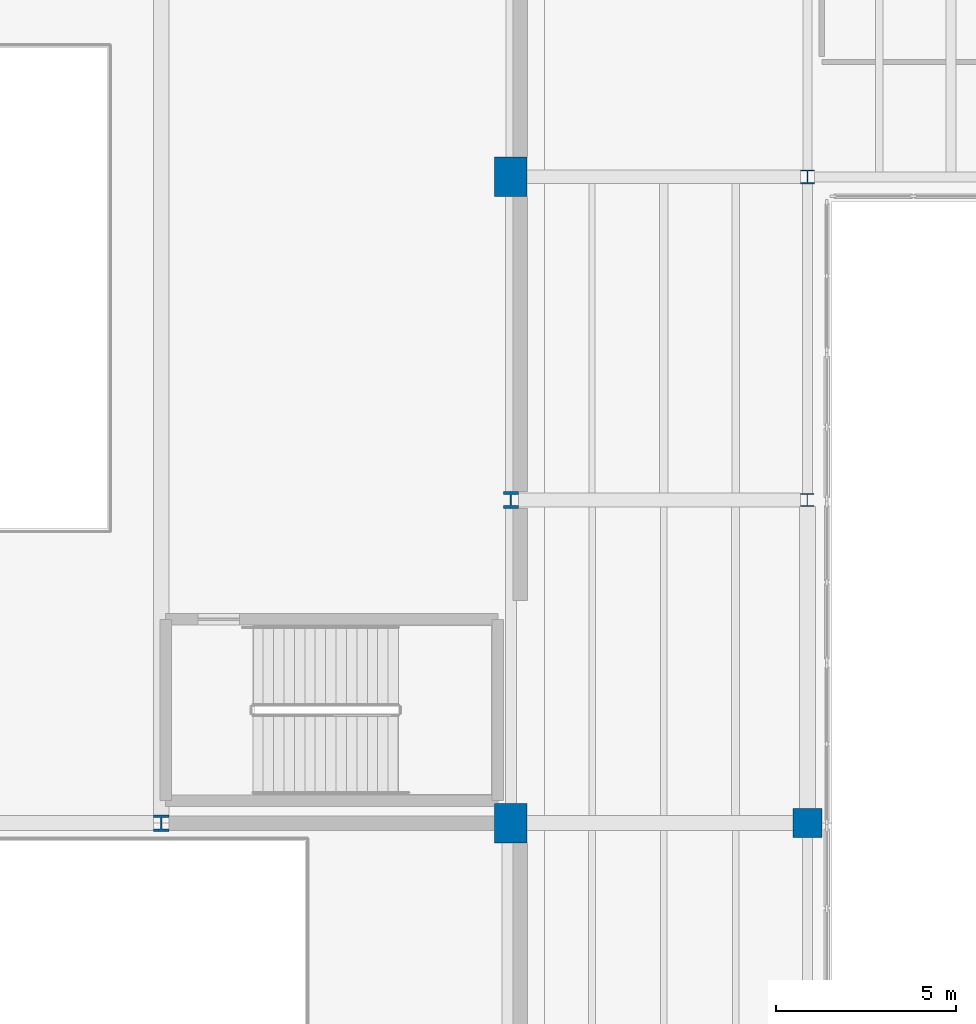
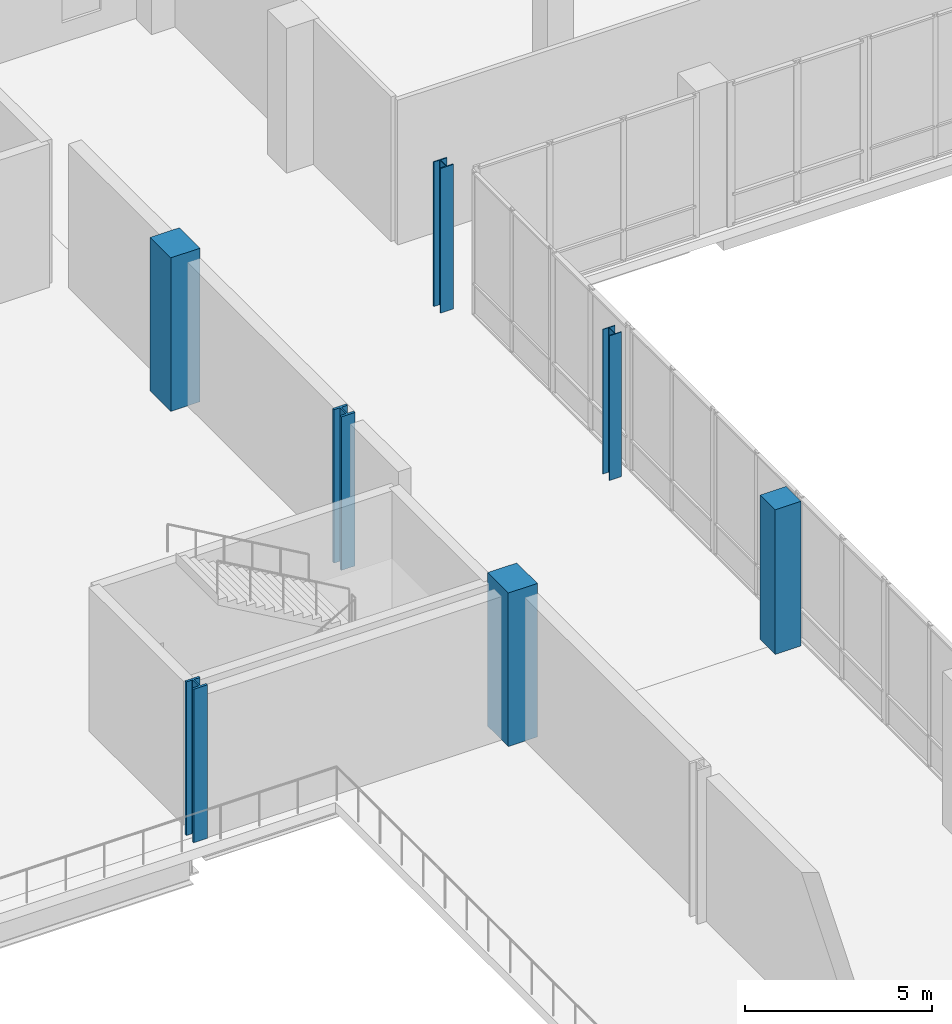
# One storey, part 11 of 73: 7 columns.
"""IFC4 building model written with IfcOpenShell, lengths in metres."""

from ifc_helpers import new_model, si_unit, direction, frame, origin, origin_2d, place, context, subcontext, project, spatial, rectangle, i_section, extrude, material, material_profile, profile_set, type_object, element, save


model = new_model("IFC4")

# Units and contexts
model_context = context("Model", 3, precision=1e-05, world=origin(), true_north=direction((0.0, 1.0)))
body_context = subcontext(model_context, "Body", "Model", "MODEL_VIEW")
ifc_project = project(units=[si_unit("LENGTHUNIT", "METRE"), si_unit("AREAUNIT", "SQUARE_METRE"), si_unit("VOLUMEUNIT", "CUBIC_METRE"), si_unit("PLANEANGLEUNIT", "RADIAN"), si_unit("MASSUNIT", "GRAM", prefix="KILO")], contexts=[model_context])

# Site, building, storey
site_placement = place(None, origin())
site = spatial("IfcSite", under=ifc_project, at=site_placement, CompositionType="ELEMENT")
building_placement = place(site_placement, origin())
building = spatial("IfcBuilding", under=site, at=building_placement, Name="Trimount Lyric Opera House", CompositionType="ELEMENT")
storey_placement = place(building_placement, frame((0.0, 0.0, 10.0)))
storey = spatial("IfcBuildingStorey", under=building, at=storey_placement, Name="L02", CompositionType="ELEMENT", Elevation=10.0)

# Columns
ifc_material_1 = material(Name="Steel ASTM A992 Grade 50", Category="steel")
ifc_material_profile_1 = material_profile(ifc_material_1, i_section(OverallWidth=0.422119140625, OverallDepth=0.465087890625, WebThickness=0.044921875, FlangeThickness=0.072509765625, FilletRadius=0.02001953125, at=origin_2d()), Name="W14X398")
ifc_profile_set_1 = profile_set([ifc_material_profile_1], Name="Steel ASTM A992 Grade 50")
column_type_1 = type_object("IfcColumnType", Name="C-01", PredefinedType="COLUMN", material=ifc_profile_set_1)
for number, where, z_axis, x_axis, name in (
    (1, (104.0, 84.0, 0.0), (0.0, 0.0, 1.0), (1.0, 0.0, 0.0), "L02 column 12/K"),
    (2, (113.739990234375, 93.0, 0.0), (0.0, 0.0, 1.0), (1.0, 0.0, 0.0), "L02 column 13/L"),
):
    element("IfcColumn", number, at=place(storey_placement, frame(where, z_axis=z_axis, x_axis=x_axis)), inside=storey, type_object=column_type_1, Name=name, PredefinedType="COLUMN", context=body_context, shape_type="SweptSolid", body=[
        extrude(i_section(OverallWidth=0.422119140625, OverallDepth=0.465087890625, WebThickness=0.044921875, FlangeThickness=0.072509765625, FilletRadius=0.02001953125, at=origin_2d()), origin(), (0.0, 0.0, 1.0), 5.0),
    ])
ifc_material_2 = material(Name="Steel ASTM A992 Grade 50", Category="steel")
ifc_material_profile_2 = material_profile(ifc_material_2, i_section(OverallWidth=0.39892578125, OverallDepth=0.385986328125, WebThickness=0.02099609375, FlangeThickness=0.033203125, FilletRadius=0.01611328125, at=origin_2d()), Name="W14X176")
ifc_profile_set_2 = profile_set([ifc_material_profile_2], Name="Steel ASTM A992 Grade 50")
column_type_2 = type_object("IfcColumnType", Name="C-03", PredefinedType="COLUMN", material=ifc_profile_set_2)
column_1_placement = place(storey_placement, frame((122.0, 102.0, 0.0), z_axis=(0.0, 0.0, 1.0), x_axis=(1.0, 0.0, 0.0)))
element("IfcColumn", 3, at=column_1_placement, inside=storey, type_object=column_type_2, Name="L02 column 14/M", PredefinedType="COLUMN", context=body_context, shape_type="SweptSolid", body=[
    extrude(i_section(OverallWidth=0.39892578125, OverallDepth=0.385986328125, WebThickness=0.02099609375, FlangeThickness=0.033203125, FilletRadius=0.01611328125, at=origin_2d()), origin(), (0.0, 0.0, 1.0), 4.7099609375),
])
ifc_material_3 = material(Name="Steel ASTM A992 Grade 50", Category="steel")
ifc_material_profile_3 = material_profile(ifc_material_3, i_section(OverallWidth=0.373046875, OverallDepth=0.367919921875, WebThickness=0.014892578125, FlangeThickness=0.02392578125, FilletRadius=0.014892578125, at=origin_2d()), Name="W14X120")
ifc_profile_set_3 = profile_set([ifc_material_profile_3], Name="Steel ASTM A992 Grade 50")
column_type_3 = type_object("IfcColumnType", Name="C-08", PredefinedType="COLUMN", material=ifc_profile_set_3)
column_2_placement = place(storey_placement, frame((122.0, 93.0, 0.0), z_axis=(0.0, 0.0, 1.0), x_axis=(1.0, 0.0, 0.0)))
element("IfcColumn", 4, at=column_2_placement, inside=storey, type_object=column_type_3, Name="L02 column 14/L", PredefinedType="COLUMN", context=body_context, shape_type="SweptSolid", body=[
    extrude(i_section(OverallWidth=0.373046875, OverallDepth=0.367919921875, WebThickness=0.014892578125, FlangeThickness=0.02392578125, FilletRadius=0.014892578125, at=origin_2d()), origin(), (0.0, 0.0, 1.0), 4.7099609375),
])
ifc_material_4 = material(Name="Concrete C50/60", Category="concrete")
ifc_material_profile_4 = material_profile(ifc_material_4, rectangle(XDim=0.89990234375, YDim=1.10009765625, at=origin_2d()), Name="RC1100X900")
ifc_profile_set_4 = profile_set([ifc_material_profile_4], Name="Concrete C50/60")
column_type_4 = type_object("IfcColumnType", Name="C-11", PredefinedType="COLUMN", material=ifc_profile_set_4)
for number, where, z_axis, x_axis, name in (
    (5, (113.739990234375, 84.0, 0.0), (0.0, 0.0, 1.0), (1.0, 0.0, 0.0), "L02 column 13/K"),
    (6, (113.739990234375, 102.0, 0.0), (0.0, 0.0, 1.0), (1.0, 0.0, 0.0), "L02 column 13/M"),
):
    element("IfcColumn", number, at=place(storey_placement, frame(where, z_axis=z_axis, x_axis=x_axis)), inside=storey, type_object=column_type_4, Name=name, PredefinedType="COLUMN", context=body_context, shape_type="SweptSolid", body=[
        extrude(rectangle(XDim=0.89990234375, YDim=1.10009765625, at=origin_2d()), origin(), (0.0, 0.0, 1.0), 5.0),
    ])
ifc_material_5 = material(Name="Concrete C40/50", Category="concrete")
ifc_material_profile_5 = material_profile(ifc_material_5, rectangle(XDim=0.800048828125, YDim=0.800048828125, at=origin_2d()), Name="RC800X800")
ifc_profile_set_5 = profile_set([ifc_material_profile_5], Name="Concrete C40/50")
column_type_5 = type_object("IfcColumnType", Name="C-14", PredefinedType="COLUMN", material=ifc_profile_set_5)
column_3_placement = place(storey_placement, frame((122.0, 84.0, 0.0), z_axis=(0.0, 0.0, 1.0), x_axis=(1.0, 0.0, 0.0)))
element("IfcColumn", 7, at=column_3_placement, inside=storey, type_object=column_type_5, Name="L02 column 14/K", PredefinedType="COLUMN", context=body_context, shape_type="SweptSolid", body=[
    extrude(rectangle(XDim=0.800048828125, YDim=0.800048828125, at=origin_2d()), origin(), (0.0, 0.0, 1.0), 4.7099609375),
])

save(model, "model.ifc")
